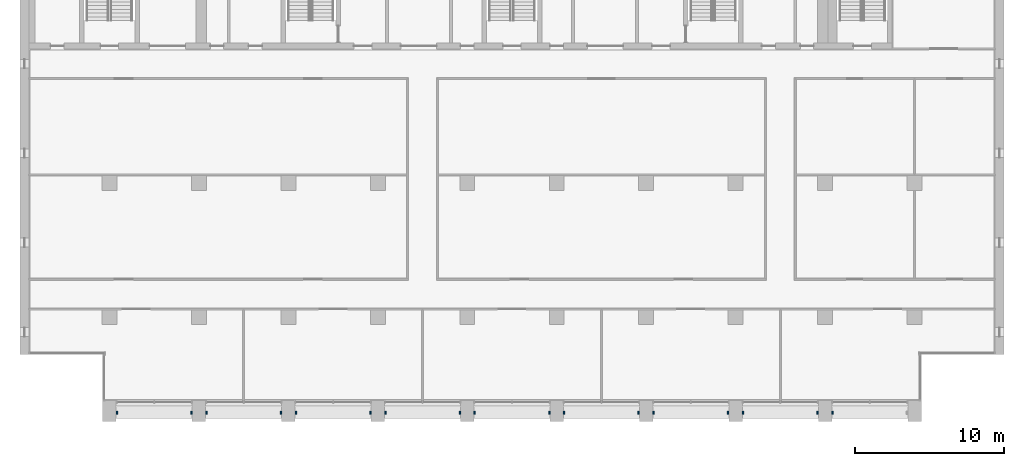
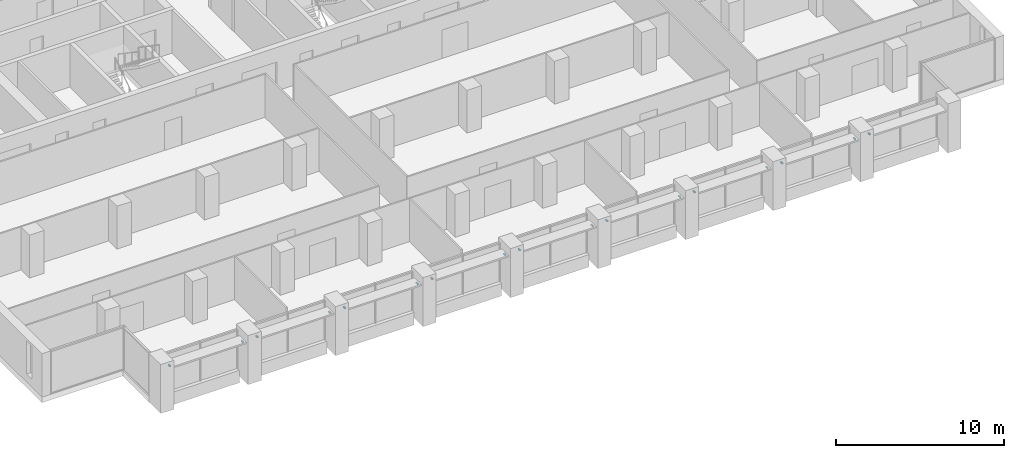
# One storey, part 14 of 16: 17 discrete accessories.
"""IFC4 building model written with IfcOpenShell, lengths in metres."""

import ifcopenshell
import ifcopenshell.guid

model = None  # the IFC model being written
_history = None  # IfcOwnerHistory: only IFC2X3 demands one
_inside = {}  # id of a spatial element -> (the spatial element, [elements in it])
_under = {}  # id of a project, library or spatial element -> (it, [spatial elements below it])
_declared = {}  # id of a project -> (the project, [libraries it declares])
_typed = {}  # id of a type object -> (the type object, [elements of that type])
_made_of = {}  # id of a material, layer set ... -> (it, [elements and type objects made of it])


def new_model(schema):
    """Start an empty IFC model of exactly this schema.

    Asked for "IFC4X3", IfcOpenShell would pick the latest addendum, in which some entities
    have other attributes; the version numbers below select the first issue.
    IFC2X3 requires an IfcOwnerHistory on every rooted entity: one is made here for all.
    """
    global model, _history
    if schema == "IFC4X3":
        model = ifcopenshell.file(schema_version=(4, 3, 0, 0))
    else:
        model = ifcopenshell.file(schema=schema)
    _inside.clear()
    _under.clear()
    _declared.clear()
    _typed.clear()
    _made_of.clear()
    _history = None
    if model.schema == "IFC2X3":
        org = make("IfcOrganization", Name="unknown")
        user = make(
            "IfcPersonAndOrganization",
            ThePerson=make("IfcPerson", FamilyName="unknown"),
            TheOrganization=org,
        )
        app = make(
            "IfcApplication",
            ApplicationDeveloper=org,
            Version="unknown",
            ApplicationFullName="unknown",
            ApplicationIdentifier="unknown",
        )
        _history = make(
            "IfcOwnerHistory",
            OwningUser=user,
            OwningApplication=app,
            ChangeAction="ADDED",
            CreationDate=0,
        )
    return model


def make(cls, **values):
    """One entity of the class cls with the attributes given. An attribute that is None is left unset."""
    return model.create_entity(
        cls, **{name: value for name, value in values.items() if value is not None}
    )


def rooted(cls, **values):
    """An entity with a GlobalId (a new one), such as an element, a storey or a relation."""
    return make(cls, GlobalId=ifcopenshell.guid.new(), OwnerHistory=_history, **values)


def si_unit(unit_type, name, prefix=None):
    """IfcSIUnit, for example si_unit("LENGTHUNIT", "METRE", prefix="MILLI")."""
    return make("IfcSIUnit", UnitType=unit_type, Prefix=prefix, Name=name)


def assignment(units):
    """IfcUnitAssignment: the units of a project."""
    return None if units is None else make("IfcUnitAssignment", Units=units)


def point(xyz):
    """IfcCartesianPoint."""
    return None if xyz is None else make("IfcCartesianPoint", Coordinates=xyz)


def direction(xyz):
    """IfcDirection."""
    return None if xyz is None else make("IfcDirection", DirectionRatios=xyz)


def frame(location, z_axis=None, x_axis=None):
    """IfcAxis2Placement3D, a coordinate frame: its origin and axes. An axis left out is left unset."""
    return make(
        "IfcAxis2Placement3D",
        Location=point(location),
        Axis=direction(z_axis),
        RefDirection=direction(x_axis),
    )


def frame_2d(location, x_axis=None):
    """IfcAxis2Placement2D, a coordinate frame in the plane: its origin and x axis."""
    return make(
        "IfcAxis2Placement2D", Location=point(location), RefDirection=direction(x_axis)
    )


def origin():
    """The frame at (0, 0, 0) with its axes left unset."""
    return frame((0.0, 0.0, 0.0))


def origin_2d():
    """The frame at (0, 0) in the plane with its x axis left unset."""
    return frame_2d((0.0, 0.0))


def place(relative_to, where):
    """IfcLocalPlacement: puts the frame where relative to a parent placement (None: the world)."""
    return make(
        "IfcLocalPlacement", PlacementRelTo=relative_to, RelativePlacement=where
    )


def context(
    kind, dimensions, precision=None, world=None, true_north=None, identifier=None
):
    """IfcGeometricRepresentationContext, for example the 3D "Model" context."""
    return make(
        "IfcGeometricRepresentationContext",
        ContextIdentifier=identifier,
        ContextType=kind,
        CoordinateSpaceDimension=dimensions,
        Precision=precision,
        WorldCoordinateSystem=world,
        TrueNorth=true_north,
    )


def subcontext(parent, identifier, kind, view, scale=None):
    """IfcGeometricRepresentationSubContext, for example "Body" below "Model"."""
    return make(
        "IfcGeometricRepresentationSubContext",
        ContextIdentifier=identifier,
        ContextType=kind,
        ParentContext=parent,
        TargetScale=scale,
        TargetView=view,
    )


def project(units=None, contexts=None):
    """IfcProject with its units and contexts."""
    return rooted(
        "IfcProject",
        Name="project",
        RepresentationContexts=contexts,
        UnitsInContext=assignment(units),
    )


def spatial(cls, under=None, at=None, **own):
    """A site, building, storey or space (cls), placed at a placement, below another one or the project."""
    s = rooted(cls, ObjectPlacement=at, **own)
    if under is not None:
        _under.setdefault(under.id(), (under, []))[1].append(s)
    return s


def profile(cls, at=None, kind="AREA", **sizes):
    """A parametric profile (cls). Its sizes go by their IFC names, for example OverallWidth=200.0."""
    return make(cls, ProfileType=kind, Position=at, **sizes)


def rectangle(**sizes):
    """IfcRectangleProfileDef."""
    return profile("IfcRectangleProfileDef", **sizes)


def extrude(swept, where, along, depth):
    """IfcExtrudedAreaSolid: the profile swept, set in the frame where, extruded along a direction by depth."""
    return make(
        "IfcExtrudedAreaSolid",
        SweptArea=swept,
        Position=where,
        ExtrudedDirection=direction(along),
        Depth=depth,
    )


def shape(context_of_items, identifier, shape_type, items):
    """IfcShapeRepresentation: the items that make up one representation, for example the "Body"."""
    return make(
        "IfcShapeRepresentation",
        ContextOfItems=context_of_items,
        RepresentationIdentifier=identifier,
        RepresentationType=shape_type,
        Items=items,
    )


def made_of(thing, what):
    """Note that an element or type object is made of a material, layer set ...; save() writes the relation."""
    if what is not None:
        _made_of.setdefault(what.id(), (what, []))[1].append(thing)
    return thing


def element(
    cls,
    number,
    at=None,
    inside=None,
    cuts=None,
    type_object=None,
    material=None,
    context=None,
    identifier="Body",
    shape_type=None,
    held_by="IfcProductDefinitionShape",
    body=None,
    shapes=None,
    **own,
):
    """One element of the class cls, such as IfcWall. Its Tag is "e" and its number.

    at: its placement. inside: the storey or other place that contains it. cuts: it is an
    opening in that element (IfcRelVoidsElement). A single representation is given by context,
    identifier, shape_type and body (its items); several are given by shapes. held_by: the class
    of the entity that holds the representations. save() writes the other relations.
    """
    e = rooted(cls, Tag="e%d" % number, ObjectPlacement=at, **own)
    if body is not None:
        shapes = [shape(context, identifier, shape_type, body)]
    if shapes is not None:
        e.Representation = make(held_by, Representations=shapes)
    if inside is not None:
        _inside.setdefault(inside.id(), (inside, []))[1].append(e)
    if cuts is not None:
        rooted(
            "IfcRelVoidsElement", RelatingBuildingElement=cuts, RelatedOpeningElement=e
        )
    if type_object is not None:
        _typed.setdefault(type_object.id(), (type_object, []))[1].append(e)
    return made_of(e, material)


def aggregate(whole, parts):
    """IfcRelAggregates: a whole, such as a stair, and the parts it consists of."""
    return rooted("IfcRelAggregates", RelatingObject=whole, RelatedObjects=parts)


def save(model, path):
    """Write the relations noted so far, then the file.

    IfcRelAggregates (storeys below a building ...), IfcRelContainedInSpatialStructure (elements
    in a storey), IfcRelDefinesByType, IfcRelAssociatesMaterial and IfcRelDeclares: one each for
    every whole, place, type object, material and project.
    """
    for whole, parts in _under.values():
        aggregate(whole, parts)
    for where, things in _inside.values():
        rooted(
            "IfcRelContainedInSpatialStructure",
            RelatedElements=things,
            RelatingStructure=where,
        )
    for kind, things in _typed.values():
        rooted("IfcRelDefinesByType", RelatedObjects=things, RelatingType=kind)
    for what, things in _made_of.values():
        rooted("IfcRelAssociatesMaterial", RelatedObjects=things, RelatingMaterial=what)
    for by, libraries in _declared.values():
        rooted("IfcRelDeclares", RelatingContext=by, RelatedDefinitions=libraries)
    model.write(path)


model = new_model("IFC4")

# Units and contexts
model_context = context("Model", 3, precision=1e-05, world=origin(), true_north=direction((0.0, 1.0)))
body_context = subcontext(model_context, "Body", "Model", "MODEL_VIEW")
ifc_project = project(units=[si_unit("LENGTHUNIT", "METRE"), si_unit("AREAUNIT", "SQUARE_METRE"), si_unit("VOLUMEUNIT", "CUBIC_METRE"), si_unit("PLANEANGLEUNIT", "RADIAN"), si_unit("MASSUNIT", "GRAM", prefix="KILO")], contexts=[model_context])

# Site, building, storey
site_placement = place(None, origin())
site = spatial("IfcSite", under=ifc_project, at=site_placement, CompositionType="ELEMENT")
building_placement = place(site_placement, origin())
building = spatial("IfcBuilding", under=site, at=building_placement, Name="Calvaro Tower", CompositionType="ELEMENT")
storey_placement = place(building_placement, frame((0.0, 0.0, 223.0)))
storey = spatial("IfcBuildingStorey", under=building, at=storey_placement, Name="L56", CompositionType="ELEMENT", Elevation=223.0)

# Discrete accessories
for number, where, z_axis, x_axis, name in (
    (1, (12.5, 3.60009765625, 2.349853515625), (0.0, 0.0, 1.0), (1.0, 0.0, 0.0), "Brise-soleil bracket"),
    (2, (17.5, 3.60009765625, 2.349853515625), (0.0, 0.0, 1.0), (1.0, 0.0, 0.0), "Brise-soleil bracket"),
    (3, (18.5, 3.60009765625, 2.349853515625), (0.0, 0.0, 1.0), (1.0, 0.0, 0.0), "Brise-soleil bracket"),
    (4, (23.5, 3.60009765625, 2.349853515625), (0.0, 0.0, 1.0), (1.0, 0.0, 0.0), "Brise-soleil bracket"),
    (5, (24.5, 3.60009765625, 2.349853515625), (0.0, 0.0, 1.0), (1.0, 0.0, 0.0), "Brise-soleil bracket"),
    (6, (29.5, 3.60009765625, 2.349853515625), (0.0, 0.0, 1.0), (1.0, 0.0, 0.0), "Brise-soleil bracket"),
    (7, (30.5, 3.60009765625, 2.349853515625), (0.0, 0.0, 1.0), (1.0, 0.0, 0.0), "Brise-soleil bracket"),
    (8, (35.5, 3.60009765625, 2.349853515625), (0.0, 0.0, 1.0), (1.0, 0.0, 0.0), "Brise-soleil bracket"),
    (9, (36.5, 3.60009765625, 2.349853515625), (0.0, 0.0, 1.0), (1.0, 0.0, 0.0), "Brise-soleil bracket"),
    (10, (41.5, 3.60009765625, 2.349853515625), (0.0, 0.0, 1.0), (1.0, 0.0, 0.0), "Brise-soleil bracket"),
    (11, (42.5, 3.60009765625, 2.349853515625), (0.0, 0.0, 1.0), (1.0, 0.0, 0.0), "Brise-soleil bracket"),
    (12, (47.5, 3.60009765625, 2.349853515625), (0.0, 0.0, 1.0), (1.0, 0.0, 0.0), "Brise-soleil bracket"),
    (13, (48.5, 3.60009765625, 2.349853515625), (0.0, 0.0, 1.0), (1.0, 0.0, 0.0), "Brise-soleil bracket"),
    (14, (53.5, 3.60009765625, 2.349853515625), (0.0, 0.0, 1.0), (1.0, 0.0, 0.0), "Brise-soleil bracket"),
    (15, (54.5, 3.60009765625, 2.349853515625), (0.0, 0.0, 1.0), (1.0, 0.0, 0.0), "Brise-soleil bracket"),
    (16, (59.5, 3.60009765625, 2.349853515625), (0.0, 0.0, 1.0), (1.0, 0.0, 0.0), "Brise-soleil bracket"),
    (17, (60.5, 3.60009765625, 2.349853515625), (0.0, 0.0, 1.0), (1.0, 0.0, 0.0), "Brise-soleil bracket"),
):
    element("IfcDiscreteAccessory", number, at=place(storey_placement, frame(where, z_axis=z_axis, x_axis=x_axis)), inside=storey, Name=name, PredefinedType="BRACKET", context=body_context, shape_type="SweptSolid", body=[
        extrude(rectangle(XDim=0.10009765625, YDim=0.199951171875, at=origin_2d()), origin(), (0.0, 0.0, 1.0), 0.10009765625),
    ])

save(model, "model.ifc")
